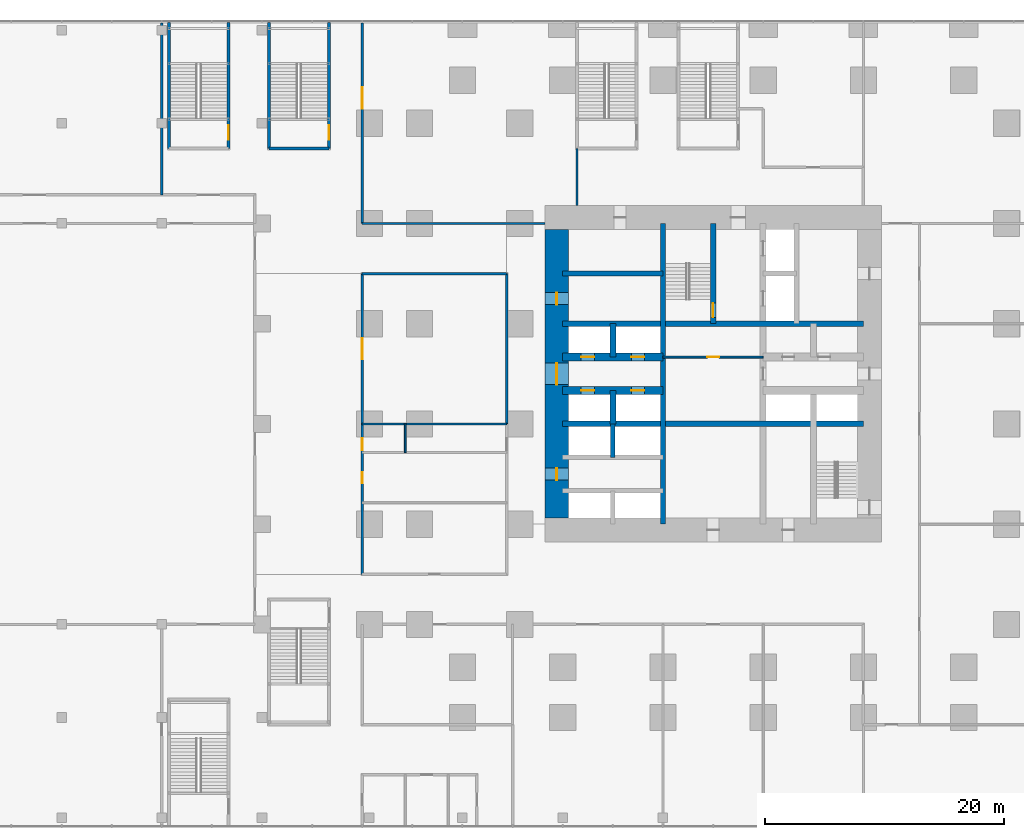
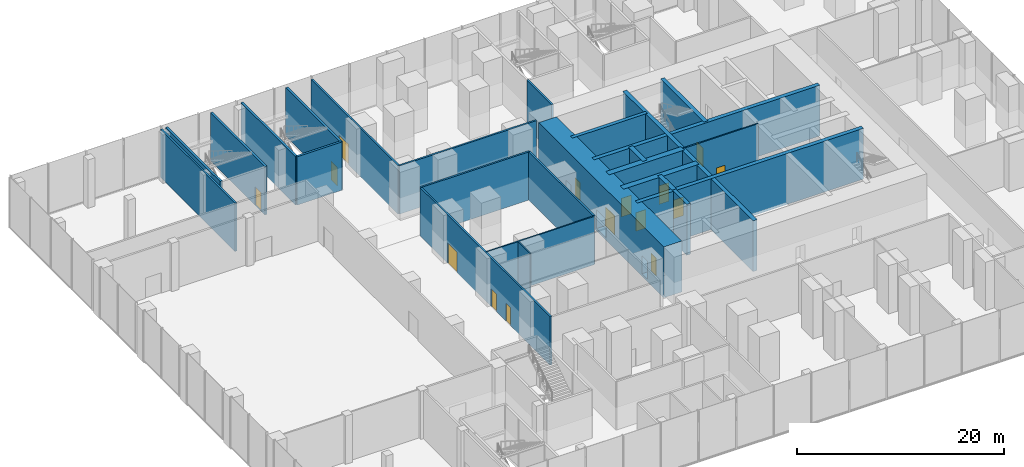
# One storey, part 27 of 32: 26 walls, 15 doors, 15 openings.
"""IFC4 building model written with IfcOpenShell, lengths in metres."""

from ifc_helpers import new_model, si_unit, direction, frame, frame_2d, origin, place, context, subcontext, project, spatial, rectangle, extrude, material, layer, layer_set, type_object, element, fill, save


model = new_model("IFC4")

# Units and contexts
model_context = context("Model", 3, precision=1e-05, world=origin(), true_north=direction((0.0, 1.0)))
body_context = subcontext(model_context, "Body", "Model", "MODEL_VIEW")
ifc_project = project(units=[si_unit("LENGTHUNIT", "METRE"), si_unit("AREAUNIT", "SQUARE_METRE"), si_unit("VOLUMEUNIT", "CUBIC_METRE"), si_unit("PLANEANGLEUNIT", "RADIAN"), si_unit("MASSUNIT", "GRAM", prefix="KILO")], contexts=[model_context])

# Site, building, storey
site_placement = place(None, origin())
site = spatial("IfcSite", under=ifc_project, at=site_placement, CompositionType="ELEMENT")
building_placement = place(site_placement, origin())
building = spatial("IfcBuilding", under=site, at=building_placement, Name="Dunama Terrace Hotel", CompositionType="ELEMENT")
storey_placement = place(building_placement, frame((0.0, 0.0, 6.0)))
storey = spatial("IfcBuildingStorey", under=building, at=storey_placement, Name="L01", CompositionType="ELEMENT", Elevation=6.0)

# Walls
ifc_material_1 = material(Name="Concrete C50/60", Category="concrete")
ifc_layer_1 = layer(ifc_material_1, 0.39990234375)
ifc_layer_set_1 = layer_set([ifc_layer_1], Name="Core inner wall 400")
wall_type_1 = type_object("IfcWallType", Name="Core inner wall 400", PredefinedType="SHEAR", material=ifc_layer_set_1)
wall_1_placement = place(storey_placement, frame((21.0, 22.39990234375, -0.300048828125), z_axis=(0.0, 0.0, 1.0), x_axis=(0.0, 1.0, 0.0)))
element("IfcWall", 1, at=wall_1_placement, inside=storey, type_object=wall_type_1, Name="Core inner wall 400 L01", PredefinedType="SHEAR", context=body_context, shape_type="SweptSolid", body=[
    extrude(rectangle(XDim=2.800048828125, YDim=0.39990234375, at=frame_2d((1.39990234375, 0.0))), origin(), (0.0, 0.0, 1.0), 6.0),
])
wall_2_placement = place(storey_placement, frame((16.800048828125, 37.800048828125, -0.300048828125), z_axis=(0.0, 0.0, 1.0), x_axis=(1.0, 0.0, 0.0)))
element("IfcWall", 2, at=wall_2_placement, inside=storey, type_object=wall_type_1, Name="Core inner wall 400 L01", PredefinedType="SHEAR", context=body_context, shape_type="SweptSolid", body=[
    extrude(rectangle(XDim=8.39990234375, YDim=0.39990234375, at=frame_2d((4.199951171875, 0.0))), origin(), (0.0, 0.0, 1.0), 6.0),
])
ifc_material_2 = material(Name="Concrete C50/60", Category="concrete")
ifc_layer_2 = layer(ifc_material_2, 0.449951171875)
ifc_layer_set_2 = layer_set([ifc_layer_2], Name="Core inner wall 450")
wall_type_2 = type_object("IfcWallType", Name="Core inner wall 450", PredefinedType="SHEAR", material=ifc_layer_set_2)
wall_3_placement = place(storey_placement, frame((25.199951171875, 16.800048828125, -0.300048828125), z_axis=(0.0, 0.0, 1.0), x_axis=(0.0, 1.0, 0.0)))
element("IfcWall", 3, at=wall_3_placement, inside=storey, type_object=wall_type_2, Name="Core inner wall 450 L01", PredefinedType="SHEAR", context=body_context, shape_type="SweptSolid", body=[
    extrude(rectangle(XDim=25.199951171875, YDim=0.449951171875, at=frame_2d((12.60009765625, 0.0))), origin(), (0.0, 0.0, 1.0), 6.0),
])

# Wall, opening, door
wall_4_placement = place(storey_placement, frame((29.39990234375, 33.60009765625, -0.300048828125), z_axis=(0.0, 0.0, 1.0), x_axis=(0.0, 1.0, 0.0)))
wall_4 = element("IfcWall", 4, at=wall_4_placement, inside=storey, type_object=wall_type_2, Name="Core inner wall 450 L01", PredefinedType="SHEAR", context=body_context, shape_type="SweptSolid", body=[
    extrude(rectangle(XDim=8.39990234375, YDim=0.449951171875, at=frame_2d((4.199951171875, 0.0))), origin(), (0.0, 0.0, 1.0), 6.0),
])
opening_1_placement = place(wall_4_placement, frame((0.52490234375, 0.0, 0.300048828125)))
opening_1 = element("IfcOpeningElement", 5, at=opening_1_placement, cuts=wall_4, Name="Opening L01-001", PredefinedType="OPENING", context=body_context, shape_type="SweptSolid", body=[
    extrude(rectangle(XDim=1.199951171875, YDim=2.199951171875, at=frame_2d((0.60009765625, 1.10009765625))), frame((0.0, 0.23486328125, 0.0), z_axis=(0.0, -1.0, 0.0), x_axis=(1.0, 0.0, 0.0)), (0.0, 0.0, 1.0), 0.469970703125),
])
ifc_material_3 = material(Name="Timber door with steel frame", Category="steel")
door_type_1 = type_object("IfcDoorType", Name="Stair door 1200", OperationType="SINGLE_SWING_LEFT", PredefinedType="DOOR", material=ifc_material_3)
door_1_placement = place(opening_1_placement, origin())
door_1 = element("IfcDoor", 6, at=door_1_placement, inside=storey, type_object=door_type_1, Name="Stair door ST1 L01-001, type D5", OperationType="SINGLE_SWING_LEFT", OverallHeight=2.199951171875, OverallWidth=1.199951171875, PredefinedType="DOOR", context=body_context, shape_type="SweptSolid", body=[
    extrude(rectangle(XDim=1.199951171875, YDim=2.199951171875, at=frame_2d((0.60009765625, 1.10009765625))), frame((0.0, 0.02490234375, 0.0), z_axis=(0.0, -1.0, 0.0), x_axis=(1.0, 0.0, 0.0)), (0.0, 0.0, 1.0), 0.050048828125),
])
fill(opening_1, door_1)

# Walls
for number, where, z_axis, x_axis, name in (
    (7, (16.800048828125, 25.199951171875, -0.300048828125), (0.0, 0.0, 1.0), (1.0, 0.0, 0.0), "Core inner wall 450 L01"),
    (8, (16.800048828125, 33.60009765625, -0.300048828125), (0.0, 0.0, 1.0), (1.0, 0.0, 0.0), "Core inner wall 450 L01"),
):
    element("IfcWall", number, at=place(storey_placement, frame(where, z_axis=z_axis, x_axis=x_axis)), inside=storey, type_object=wall_type_2, Name=name, PredefinedType="SHEAR", context=body_context, shape_type="SweptSolid", body=[
        extrude(rectangle(XDim=25.199951171875, YDim=0.449951171875, at=frame_2d((12.60009765625, 0.0))), origin(), (0.0, 0.0, 1.0), 6.0),
    ])
ifc_material_4 = material(Name="Concrete C50/60", Category="concrete")
ifc_layer_3 = layer(ifc_material_4, 0.5)
ifc_layer_set_3 = layer_set([ifc_layer_3], Name="Core inner wall 500")
wall_type_3 = type_object("IfcWallType", Name="Core inner wall 500", PredefinedType="SHEAR", material=ifc_layer_set_3)
for number, where, z_axis, x_axis, name in (
    (9, (21.0, 25.199951171875, -0.300048828125), (0.0, 0.0, 1.0), (0.0, 1.0, 0.0), "Core inner wall 500 L01"),
    (10, (21.0, 30.800048828125, -0.300048828125), (0.0, 0.0, 1.0), (0.0, 1.0, 0.0), "Core inner wall 500 L01"),
):
    element("IfcWall", number, at=place(storey_placement, frame(where, z_axis=z_axis, x_axis=x_axis)), inside=storey, type_object=wall_type_3, Name=name, PredefinedType="SHEAR", context=body_context, shape_type="SweptSolid", body=[
        extrude(rectangle(XDim=2.800048828125, YDim=0.5, at=frame_2d((1.39990234375, 0.0))), origin(), (0.0, 0.0, 1.0), 6.0),
    ])

# Wall, openings, doors
ifc_material_5 = material(Name="Concrete C50/60", Category="concrete")
ifc_layer_4 = layer(ifc_material_5, 0.64990234375)
ifc_layer_set_4 = layer_set([ifc_layer_4], Name="Core inner wall 650")
wall_type_4 = type_object("IfcWallType", Name="Core inner wall 650", PredefinedType="SHEAR", material=ifc_layer_set_4)
wall_5_placement = place(storey_placement, frame((16.800048828125, 28.0, -0.300048828125), z_axis=(0.0, 0.0, 1.0), x_axis=(1.0, 0.0, 0.0)))
wall_5 = element("IfcWall", 11, at=wall_5_placement, inside=storey, type_object=wall_type_4, Name="Core inner wall 650 L01", PredefinedType="SHEAR", context=body_context, shape_type="SweptSolid", body=[
    extrude(rectangle(XDim=8.39990234375, YDim=0.64990234375, at=frame_2d((4.199951171875, 0.0))), origin(), (0.0, 0.0, 1.0), 6.0),
])
opening_2_placement = place(wall_5_placement, frame((1.550048828125, 0.0, 0.300048828125)))
opening_2 = element("IfcOpeningElement", 12, at=opening_2_placement, cuts=wall_5, Name="Opening L01-009", PredefinedType="OPENING", context=body_context, shape_type="SweptSolid", body=[
    extrude(rectangle(XDim=1.10009765625, YDim=2.199951171875, at=frame_2d((0.550048828125, 1.10009765625))), frame((0.0, 0.3349609375, 0.0), z_axis=(0.0, -1.0, 0.0), x_axis=(1.0, 0.0, 0.0)), (0.0, 0.0, 1.0), 0.669921875),
])
opening_3_placement = place(wall_5_placement, frame((5.75, 0.0, 0.300048828125)))
opening_3 = element("IfcOpeningElement", 13, at=opening_3_placement, cuts=wall_5, Name="Opening L01-010", PredefinedType="OPENING", context=body_context, shape_type="SweptSolid", body=[
    extrude(rectangle(XDim=1.10009765625, YDim=2.199951171875, at=frame_2d((0.550048828125, 1.10009765625))), frame((0.0, 0.3349609375, 0.0), z_axis=(0.0, -1.0, 0.0), x_axis=(1.0, 0.0, 0.0)), (0.0, 0.0, 1.0), 0.669921875),
])
ifc_material_6 = material(Name="Stainless steel lift door", Category="steel")
door_type_2 = type_object("IfcDoorType", Name="Lift landing door 1100", OperationType="DOUBLE_DOOR_SLIDING", PredefinedType="DOOR", material=ifc_material_6)
door_2_placement = place(opening_2_placement, origin())
door_2 = element("IfcDoor", 14, at=door_2_placement, inside=storey, type_object=door_type_2, Name="Landing door PA1 L01-009, type LD1", OperationType="DOUBLE_DOOR_SLIDING", OverallHeight=2.199951171875, OverallWidth=1.10009765625, PredefinedType="DOOR", context=body_context, shape_type="SweptSolid", body=[
    extrude(rectangle(XDim=1.10009765625, YDim=2.199951171875, at=frame_2d((0.550048828125, 1.10009765625))), frame((0.0, 0.02490234375, 0.0), z_axis=(0.0, -1.0, 0.0), x_axis=(1.0, 0.0, 0.0)), (0.0, 0.0, 1.0), 0.050048828125),
])
fill(opening_2, door_2)
door_3_placement = place(opening_3_placement, origin())
door_3 = element("IfcDoor", 15, at=door_3_placement, inside=storey, type_object=door_type_2, Name="Landing door PA2 L01-010, type LD1", OperationType="DOUBLE_DOOR_SLIDING", OverallHeight=2.199951171875, OverallWidth=1.10009765625, PredefinedType="DOOR", context=body_context, shape_type="SweptSolid", body=[
    extrude(rectangle(XDim=1.10009765625, YDim=2.199951171875, at=frame_2d((0.550048828125, 1.10009765625))), frame((0.0, 0.02490234375, 0.0), z_axis=(0.0, -1.0, 0.0), x_axis=(1.0, 0.0, 0.0)), (0.0, 0.0, 1.0), 0.050048828125),
])
fill(opening_3, door_3)

wall_6_placement = place(storey_placement, frame((16.800048828125, 30.800048828125, -0.300048828125), z_axis=(0.0, 0.0, 1.0), x_axis=(1.0, 0.0, 0.0)))
wall_6 = element("IfcWall", 16, at=wall_6_placement, inside=storey, type_object=wall_type_4, Name="Core inner wall 650 L01", PredefinedType="SHEAR", context=body_context, shape_type="SweptSolid", body=[
    extrude(rectangle(XDim=8.39990234375, YDim=0.64990234375, at=frame_2d((4.199951171875, 0.0))), origin(), (0.0, 0.0, 1.0), 6.0),
])
opening_4_placement = place(wall_6_placement, frame((1.550048828125, 0.0, 0.300048828125)))
opening_4 = element("IfcOpeningElement", 17, at=opening_4_placement, cuts=wall_6, Name="Opening L01-011", PredefinedType="OPENING", context=body_context, shape_type="SweptSolid", body=[
    extrude(rectangle(XDim=1.10009765625, YDim=2.199951171875, at=frame_2d((0.550048828125, 1.10009765625))), frame((0.0, 0.3349609375, 0.0), z_axis=(0.0, -1.0, 0.0), x_axis=(1.0, 0.0, 0.0)), (0.0, 0.0, 1.0), 0.669921875),
])
opening_5_placement = place(wall_6_placement, frame((5.75, 0.0, 0.300048828125)))
opening_5 = element("IfcOpeningElement", 18, at=opening_5_placement, cuts=wall_6, Name="Opening L01-012", PredefinedType="OPENING", context=body_context, shape_type="SweptSolid", body=[
    extrude(rectangle(XDim=1.10009765625, YDim=2.199951171875, at=frame_2d((0.550048828125, 1.10009765625))), frame((0.0, 0.3349609375, 0.0), z_axis=(0.0, -1.0, 0.0), x_axis=(1.0, 0.0, 0.0)), (0.0, 0.0, 1.0), 0.669921875),
])
door_4_placement = place(opening_4_placement, origin())
door_4 = element("IfcDoor", 19, at=door_4_placement, inside=storey, type_object=door_type_2, Name="Landing door PA3 L01-011, type LD1", OperationType="DOUBLE_DOOR_SLIDING", OverallHeight=2.199951171875, OverallWidth=1.10009765625, PredefinedType="DOOR", context=body_context, shape_type="SweptSolid", body=[
    extrude(rectangle(XDim=1.10009765625, YDim=2.199951171875, at=frame_2d((0.550048828125, 1.10009765625))), frame((0.0, 0.02490234375, 0.0), z_axis=(0.0, -1.0, 0.0), x_axis=(1.0, 0.0, 0.0)), (0.0, 0.0, 1.0), 0.050048828125),
])
fill(opening_4, door_4)
door_5_placement = place(opening_5_placement, origin())
door_5 = element("IfcDoor", 20, at=door_5_placement, inside=storey, type_object=door_type_2, Name="Landing door PA4 L01-012, type LD1", OperationType="DOUBLE_DOOR_SLIDING", OverallHeight=2.199951171875, OverallWidth=1.10009765625, PredefinedType="DOOR", context=body_context, shape_type="SweptSolid", body=[
    extrude(rectangle(XDim=1.10009765625, YDim=2.199951171875, at=frame_2d((0.550048828125, 1.10009765625))), frame((0.0, 0.02490234375, 0.0), z_axis=(0.0, -1.0, 0.0), x_axis=(1.0, 0.0, 0.0)), (0.0, 0.0, 1.0), 0.050048828125),
])
fill(opening_5, door_5)

ifc_material_7 = material(Name="Concrete C60/75", Category="concrete")
ifc_layer_5 = layer(ifc_material_7, 2.0)
ifc_layer_set_5 = layer_set([ifc_layer_5], Name="Core wall 2000")
wall_type_5 = type_object("IfcWallType", Name="Core wall 2000", PredefinedType="SHEAR", material=ifc_layer_set_5)
wall_7_placement = place(storey_placement, frame((16.300048828125, 41.5, -0.300048828125), z_axis=(0.0, 0.0, 1.0), x_axis=(0.0, -1.0, 0.0)))
wall_7 = element("IfcWall", 21, at=wall_7_placement, inside=storey, type_object=wall_type_5, Name="Core wall west L01", PredefinedType="SHEAR", context=body_context, shape_type="SweptSolid", body=[
    extrude(rectangle(XDim=24.199951171875, YDim=2.0, at=frame_2d((12.10009765625, 0.0))), origin(), (0.0, 0.0, 1.0), 6.0),
])
opening_6_placement = place(wall_7_placement, frame((11.199951171875, 0.0, 0.300048828125)))
opening_6 = element("IfcOpeningElement", 22, at=opening_6_placement, cuts=wall_7, Name="Opening L01-015", PredefinedType="OPENING", context=body_context, shape_type="SweptSolid", body=[
    extrude(rectangle(XDim=1.800048828125, YDim=2.199951171875, at=frame_2d((0.89990234375, 1.10009765625))), frame((0.0, 1.010009765625, 0.0), z_axis=(0.0, -1.0, 0.0), x_axis=(1.0, 0.0, 0.0)), (0.0, 0.0, 1.0), 2.02001953125),
])
opening_7_placement = place(wall_7_placement, frame((20.0, 0.0, 0.300048828125)))
opening_7 = element("IfcOpeningElement", 23, at=opening_7_placement, cuts=wall_7, Name="Opening L01-016", PredefinedType="OPENING", context=body_context, shape_type="SweptSolid", body=[
    extrude(rectangle(XDim=1.0, YDim=2.10009765625, at=frame_2d((0.5, 1.050048828125))), frame((0.0, 1.010009765625, 0.0), z_axis=(0.0, -1.0, 0.0), x_axis=(1.0, 0.0, 0.0)), (0.0, 0.0, 1.0), 2.02001953125),
])
opening_8_placement = place(wall_7_placement, frame((5.300048828125, 0.0, 0.300048828125)))
opening_8 = element("IfcOpeningElement", 24, at=opening_8_placement, cuts=wall_7, Name="Opening L01-017", PredefinedType="OPENING", context=body_context, shape_type="SweptSolid", body=[
    extrude(rectangle(XDim=1.0, YDim=2.10009765625, at=frame_2d((0.5, 1.050048828125))), frame((0.0, 1.010009765625, 0.0), z_axis=(0.0, -1.0, 0.0), x_axis=(1.0, 0.0, 0.0)), (0.0, 0.0, 1.0), 2.02001953125),
])
ifc_material_8 = material(Name="Timber door with steel frame", Category="steel")
door_type_3 = type_object("IfcDoorType", Name="Lift lobby double door 1800", OperationType="DOUBLE_DOOR_DOUBLE_SWING", PredefinedType="DOOR", material=ifc_material_8)
door_6_placement = place(opening_6_placement, origin())
door_6 = element("IfcDoor", 25, at=door_6_placement, inside=storey, type_object=door_type_3, Name="Door to lift lobby L01-015, type D3", OperationType="DOUBLE_DOOR_DOUBLE_SWING", OverallHeight=2.199951171875, OverallWidth=1.800048828125, PredefinedType="DOOR", context=body_context, shape_type="SweptSolid", body=[
    extrude(rectangle(XDim=1.800048828125, YDim=2.199951171875, at=frame_2d((0.89990234375, 1.10009765625))), frame((0.0, 0.02490234375, 0.0), z_axis=(0.0, -1.0, 0.0), x_axis=(1.0, 0.0, 0.0)), (0.0, 0.0, 1.0), 0.050048828125),
])
fill(opening_6, door_6)
ifc_material_9 = material(Name="Timber door with steel frame", Category="steel")
door_type_4 = type_object("IfcDoorType", Name="Service door 1000", OperationType="SINGLE_SWING_LEFT", PredefinedType="DOOR", material=ifc_material_9)
door_7_placement = place(opening_7_placement, origin())
door_7 = element("IfcDoor", 26, at=door_7_placement, inside=storey, type_object=door_type_4, Name="Door to service lobby L01-016, type D7", OperationType="SINGLE_SWING_LEFT", OverallHeight=2.10009765625, OverallWidth=1.0, PredefinedType="DOOR", context=body_context, shape_type="SweptSolid", body=[
    extrude(rectangle(XDim=1.0, YDim=2.10009765625, at=frame_2d((0.5, 1.050048828125))), frame((0.0, 0.02490234375, 0.0), z_axis=(0.0, -1.0, 0.0), x_axis=(1.0, 0.0, 0.0)), (0.0, 0.0, 1.0), 0.050048828125),
])
fill(opening_7, door_7)
door_8_placement = place(opening_8_placement, origin())
door_8 = element("IfcDoor", 27, at=door_8_placement, inside=storey, type_object=door_type_4, Name="Door to electrical room L01-017, type D7", OperationType="SINGLE_SWING_RIGHT", OverallHeight=2.10009765625, OverallWidth=1.0, PredefinedType="DOOR", context=body_context, shape_type="SweptSolid", body=[
    extrude(rectangle(XDim=1.0, YDim=2.10009765625, at=frame_2d((0.5, 1.050048828125))), frame((0.0, 0.02490234375, 0.0), z_axis=(0.0, -1.0, 0.0), x_axis=(1.0, 0.0, 0.0)), (0.0, 0.0, 1.0), 0.050048828125),
])
fill(opening_8, door_8)

# Wall
ifc_material_10 = material(Name="Concrete blockwork", Category="masonry")
ifc_layer_6 = layer(ifc_material_10, 0.199951171875)
ifc_layer_set_6 = layer_set([ifc_layer_6], Name="Corridor partition 200")
wall_type_6 = type_object("IfcWallType", Name="Corridor partition 200", PredefinedType="PARTITIONING", material=ifc_layer_set_6)
wall_8_placement = place(storey_placement, frame((-16.800048828125, 44.39990234375, 0.0), z_axis=(0.0, 0.0, 1.0), x_axis=(0.0, 1.0, 0.0)))
element("IfcWall", 28, at=wall_8_placement, inside=storey, type_object=wall_type_6, Name="Corridor partition 200 L01", PredefinedType="PARTITIONING", context=body_context, shape_type="SweptSolid", body=[
    extrude(rectangle(XDim=14.400146484375, YDim=0.199951171875, at=frame_2d((7.2001953125, 0.0))), origin(), (0.0, 0.0, 1.0), 5.699951171875),
])

# Wall, openings, doors
wall_9_placement = place(storey_placement, frame((0.0, 12.60009765625, 0.0), z_axis=(0.0, 0.0, 1.0), x_axis=(0.0, 1.0, 0.0)))
wall_9 = element("IfcWall", 29, at=wall_9_placement, inside=storey, type_object=wall_type_6, Name="Corridor partition 200 L01", PredefinedType="PARTITIONING", context=body_context, shape_type="SweptSolid", body=[
    extrude(rectangle(XDim=25.199951171875, YDim=0.199951171875, at=frame_2d((12.60009765625, 0.0))), origin(), (0.0, 0.0, 1.0), 5.699951171875),
])
opening_9_placement = place(wall_9_placement, frame((7.64990234375, 0.0, 0.0)))
opening_9 = element("IfcOpeningElement", 30, at=opening_9_placement, cuts=wall_9, Name="Opening L01-045", PredefinedType="OPENING", context=body_context, shape_type="SweptSolid", body=[
    extrude(rectangle(XDim=0.89990234375, YDim=2.10009765625, at=frame_2d((0.449951171875, 1.050048828125))), frame((0.0, 0.10986328125, 0.0), z_axis=(0.0, -1.0, 0.0), x_axis=(1.0, 0.0, 0.0)), (0.0, 0.0, 1.0), 0.219970703125),
])
opening_10_placement = place(wall_9_placement, frame((10.39990234375, 0.0, 0.0)))
opening_10 = element("IfcOpeningElement", 31, at=opening_10_placement, cuts=wall_9, Name="Opening L01-046", PredefinedType="OPENING", context=body_context, shape_type="SweptSolid", body=[
    extrude(rectangle(XDim=1.0, YDim=2.10009765625, at=frame_2d((0.5, 1.050048828125))), frame((0.0, 0.10986328125, 0.0), z_axis=(0.0, -1.0, 0.0), x_axis=(1.0, 0.0, 0.0)), (0.0, 0.0, 1.0), 0.219970703125),
])
opening_11_placement = place(wall_9_placement, frame((18.0, 0.0, 0.0)))
opening_11 = element("IfcOpeningElement", 32, at=opening_11_placement, cuts=wall_9, Name="Opening L01-048", PredefinedType="OPENING", context=body_context, shape_type="SweptSolid", body=[
    extrude(rectangle(XDim=1.800048828125, YDim=2.39990234375, at=frame_2d((0.89990234375, 1.199951171875))), frame((0.0, 0.10986328125, 0.0), z_axis=(0.0, -1.0, 0.0), x_axis=(1.0, 0.0, 0.0)), (0.0, 0.0, 1.0), 0.219970703125),
])
ifc_material_11 = material(Name="Timber door with steel frame", Category="steel")
door_type_5 = type_object("IfcDoorType", Name="Accessible room door 1000", OperationType="SINGLE_SWING_LEFT", PredefinedType="DOOR", material=ifc_material_11)
door_9_placement = place(opening_10_placement, frame((1.0, 0.0, 0.0), z_axis=(0.0, 0.0, 1.0), x_axis=(-1.0, 0.0, 0.0)))
door_9 = element("IfcDoor", 33, at=door_9_placement, inside=storey, type_object=door_type_5, Name="Door to ballroom accessible wc L01-046, type D17", OperationType="SINGLE_SWING_LEFT", OverallHeight=2.10009765625, OverallWidth=1.0, PredefinedType="DOOR", context=body_context, shape_type="SweptSolid", body=[
    extrude(rectangle(XDim=1.0, YDim=2.10009765625, at=frame_2d((0.5, 1.050048828125))), frame((0.0, 0.025146484375, 0.0), z_axis=(0.0, -1.0, 0.0), x_axis=(1.0, 0.0, 0.0)), (0.0, 0.0, 1.0), 0.050048828125),
])
fill(opening_10, door_9)
ifc_material_12 = material(Name="Aluminium-framed glazed door", Category="aluminium")
door_type_6 = type_object("IfcDoorType", Name="Glazed double door 1800", OperationType="DOUBLE_DOOR_DOUBLE_SWING", PredefinedType="DOOR", material=ifc_material_12)
door_10_placement = place(opening_11_placement, origin())
door_10 = element("IfcDoor", 34, at=door_10_placement, inside=storey, type_object=door_type_6, Name="Door to meeting room 4 L01-048, type D8", OperationType="DOUBLE_DOOR_DOUBLE_SWING", OverallHeight=2.39990234375, OverallWidth=1.800048828125, PredefinedType="DOOR", context=body_context, shape_type="SweptSolid", body=[
    extrude(rectangle(XDim=1.800048828125, YDim=2.39990234375, at=frame_2d((0.89990234375, 1.199951171875))), frame((0.0, 0.02490234375, 0.0), z_axis=(0.0, -1.0, 0.0), x_axis=(1.0, 0.0, 0.0)), (0.0, 0.0, 1.0), 0.050048828125),
])
fill(opening_11, door_10)
ifc_material_13 = material(Name="Timber door with steel frame", Category="steel")
door_type_7 = type_object("IfcDoorType", Name="WC door 900", OperationType="SINGLE_SWING_LEFT", PredefinedType="DOOR", material=ifc_material_13)
door_11_placement = place(opening_9_placement, frame((0.89990234375, 0.0, 0.0), z_axis=(0.0, 0.0, 1.0), x_axis=(-1.0, 0.0, 0.0)))
door_11 = element("IfcDoor", 35, at=door_11_placement, inside=storey, type_object=door_type_7, Name="Door to ballroom male wc L01-045, type D6", OperationType="SINGLE_SWING_RIGHT", OverallHeight=2.10009765625, OverallWidth=0.89990234375, PredefinedType="DOOR", context=body_context, shape_type="SweptSolid", body=[
    extrude(rectangle(XDim=0.89990234375, YDim=2.10009765625, at=frame_2d((0.449951171875, 1.050048828125))), frame((0.0, 0.025146484375, 0.0), z_axis=(0.0, -1.0, 0.0), x_axis=(1.0, 0.0, 0.0)), (0.0, 0.0, 1.0), 0.050048828125),
])
fill(opening_9, door_11)

# Wall, opening, door
wall_10_placement = place(storey_placement, frame((0.0, 42.0, 0.0), z_axis=(0.0, 0.0, 1.0), x_axis=(0.0, 1.0, 0.0)))
wall_10 = element("IfcWall", 36, at=wall_10_placement, inside=storey, type_object=wall_type_6, Name="Corridor partition 200 L01", PredefinedType="PARTITIONING", context=body_context, shape_type="SweptSolid", body=[
    extrude(rectangle(XDim=16.800048828125, YDim=0.199951171875, at=frame_2d((8.39990234375, 0.0))), origin(), (0.0, 0.0, 1.0), 5.699951171875),
])
opening_12_placement = place(wall_10_placement, frame((9.60009765625, 0.0, 0.0)))
opening_12 = element("IfcOpeningElement", 37, at=opening_12_placement, cuts=wall_10, Name="Opening L01-037", PredefinedType="OPENING", context=body_context, shape_type="SweptSolid", body=[
    extrude(rectangle(XDim=1.800048828125, YDim=2.39990234375, at=frame_2d((0.89990234375, 1.199951171875))), frame((0.0, 0.10986328125, 0.0), z_axis=(0.0, -1.0, 0.0), x_axis=(1.0, 0.0, 0.0)), (0.0, 0.0, 1.0), 0.219970703125),
])
door_12_placement = place(opening_12_placement, origin())
door_12 = element("IfcDoor", 38, at=door_12_placement, inside=storey, type_object=door_type_6, Name="Door to meeting room 1 L01-037, type D8", OperationType="DOUBLE_DOOR_DOUBLE_SWING", OverallHeight=2.39990234375, OverallWidth=1.800048828125, PredefinedType="DOOR", context=body_context, shape_type="SweptSolid", body=[
    extrude(rectangle(XDim=1.800048828125, YDim=2.39990234375, at=frame_2d((0.89990234375, 1.199951171875))), frame((0.0, 0.02490234375, 0.0), z_axis=(0.0, -1.0, 0.0), x_axis=(1.0, 0.0, 0.0)), (0.0, 0.0, 1.0), 0.050048828125),
])
fill(opening_12, door_12)

# Walls
wall_11_placement = place(storey_placement, frame((0.0, 37.800048828125, 0.0), z_axis=(0.0, 0.0, 1.0), x_axis=(1.0, 0.0, 0.0)))
element("IfcWall", 39, at=wall_11_placement, inside=storey, type_object=wall_type_6, Name="Corridor partition 200 L01", PredefinedType="PARTITIONING", context=body_context, shape_type="SweptSolid", body=[
    extrude(rectangle(XDim=12.10009765625, YDim=0.199951171875, at=frame_2d((6.050048828125, 0.0))), origin(), (0.0, 0.0, 1.0), 5.699951171875),
])
wall_12_placement = place(storey_placement, frame((12.10009765625, 37.800048828125, 0.0), z_axis=(0.0, 0.0, 1.0), x_axis=(0.0, -1.0, 0.0)))
element("IfcWall", 40, at=wall_12_placement, inside=storey, type_object=wall_type_6, Name="Corridor partition 200 L01", PredefinedType="PARTITIONING", context=body_context, shape_type="SweptSolid", body=[
    extrude(rectangle(XDim=12.60009765625, YDim=0.199951171875, at=frame_2d((6.300048828125, 0.0))), origin(), (0.0, 0.0, 1.0), 5.699951171875),
])
wall_13_placement = place(storey_placement, frame((18.0, 48.300048828125, 0.0), z_axis=(0.0, 0.0, 1.0), x_axis=(0.0, -1.0, 0.0)))
element("IfcWall", 41, at=wall_13_placement, inside=storey, type_object=wall_type_6, Name="Corridor partition 200 L01", PredefinedType="PARTITIONING", context=body_context, shape_type="SweptSolid", body=[
    extrude(rectangle(XDim=4.800048828125, YDim=0.199951171875, at=frame_2d((2.39990234375, 0.0))), origin(), (0.0, 0.0, 1.0), 5.699951171875),
])
wall_14_placement = place(storey_placement, frame((15.300048828125, 42.0, 0.0), z_axis=(0.0, 0.0, 1.0), x_axis=(-1.0, 0.0, 0.0)))
element("IfcWall", 42, at=wall_14_placement, inside=storey, type_object=wall_type_6, Name="Corridor partition 200 L01", PredefinedType="PARTITIONING", context=body_context, shape_type="SweptSolid", body=[
    extrude(rectangle(XDim=15.300048828125, YDim=0.199951171875, at=frame_2d((7.64990234375, 0.0))), origin(), (0.0, 0.0, 1.0), 5.699951171875),
])
ifc_material_14 = material(Name="Gypsum board partition", Category="masonry")
ifc_layer_7 = layer(ifc_material_14, 0.14990234375)
ifc_layer_set_7 = layer_set([ifc_layer_7], Name="Room partition 150")
wall_type_7 = type_object("IfcWallType", Name="Room partition 150", PredefinedType="PARTITIONING", material=ifc_layer_set_7)
wall_15_placement = place(storey_placement, frame((3.60009765625, 22.800048828125, 0.0), z_axis=(0.0, 0.0, 1.0), x_axis=(0.0, 1.0, 0.0)))
element("IfcWall", 43, at=wall_15_placement, inside=storey, type_object=wall_type_7, Name="Room partition 150 L01", PredefinedType="PARTITIONING", context=body_context, shape_type="SweptSolid", body=[
    extrude(rectangle(XDim=2.39990234375, YDim=0.14990234375, at=frame_2d((1.199951171875, 0.0))), origin(), (0.0, 0.0, 1.0), 5.699951171875),
])
wall_16_placement = place(storey_placement, frame((0.0, 25.199951171875, 0.0), z_axis=(0.0, 0.0, 1.0), x_axis=(1.0, 0.0, 0.0)))
element("IfcWall", 44, at=wall_16_placement, inside=storey, type_object=wall_type_7, Name="Room partition 150 L01", PredefinedType="PARTITIONING", context=body_context, shape_type="SweptSolid", body=[
    extrude(rectangle(XDim=12.10009765625, YDim=0.14990234375, at=frame_2d((6.050048828125, 0.0))), origin(), (0.0, 0.0, 1.0), 5.699951171875),
])

# Wall, opening, door
wall_17_placement = place(storey_placement, frame((25.199951171875, 30.800048828125, 0.0), z_axis=(0.0, 0.0, 1.0), x_axis=(1.0, 0.0, 0.0)))
wall_17 = element("IfcWall", 45, at=wall_17_placement, inside=storey, type_object=wall_type_7, Name="Room partition 150 L01", PredefinedType="PARTITIONING", context=body_context, shape_type="SweptSolid", body=[
    extrude(rectangle(XDim=8.400146484375, YDim=0.14990234375, at=frame_2d((4.2001953125, 0.0))), origin(), (0.0, 0.0, 1.0), 5.699951171875),
])
opening_13_placement = place(wall_17_placement, frame((3.699951171875, 0.0, 0.0)))
opening_13 = element("IfcOpeningElement", 46, at=opening_13_placement, cuts=wall_17, Name="Opening L01-020", PredefinedType="OPENING", context=body_context, shape_type="SweptSolid", body=[
    extrude(rectangle(XDim=1.0, YDim=2.10009765625, at=frame_2d((0.5, 1.050048828125))), frame((0.0, 0.0849609375, 0.0), z_axis=(0.0, -1.0, 0.0), x_axis=(1.0, 0.0, 0.0)), (0.0, 0.0, 1.0), 0.169921875),
])
door_13_placement = place(opening_13_placement, origin())
door_13 = element("IfcDoor", 47, at=door_13_placement, inside=storey, type_object=door_type_4, Name="Door to guest amenities store L01-020, type D7", OperationType="SINGLE_SWING_LEFT", OverallHeight=2.10009765625, OverallWidth=1.0, PredefinedType="DOOR", context=body_context, shape_type="SweptSolid", body=[
    extrude(rectangle(XDim=1.0, YDim=2.10009765625, at=frame_2d((0.5, 1.050048828125))), frame((0.0, 0.02490234375, 0.0), z_axis=(0.0, -1.0, 0.0), x_axis=(1.0, 0.0, 0.0)), (0.0, 0.0, 1.0), 0.050048828125),
])
fill(opening_13, door_13)

# Wall
ifc_material_15 = material(Name="Concrete blockwork", Category="masonry")
ifc_layer_8 = layer(ifc_material_15, 0.25)
ifc_layer_set_8 = layer_set([ifc_layer_8], Name="Stair enclosure wall 250")
wall_type_8 = type_object("IfcWallType", Name="Stair enclosure wall 250", PredefinedType="PARTITIONING", material=ifc_layer_set_8)
wall_18_placement = place(storey_placement, frame((-16.199951171875, 48.300048828125, 0.0), z_axis=(0.0, 0.0, 1.0), x_axis=(0.0, 1.0, 0.0)))
element("IfcWall", 48, at=wall_18_placement, inside=storey, type_object=wall_type_8, Name="Stair enclosure wall 250 L01", PredefinedType="PARTITIONING", context=body_context, shape_type="SweptSolid", body=[
    extrude(rectangle(XDim=10.52294921875, YDim=0.25, at=frame_2d((5.261474609375, 0.0))), origin(), (0.0, 0.0, 1.0), 5.699951171875),
])

# Wall, opening, door
wall_19_placement = place(storey_placement, frame((-11.199951171875, 48.300048828125, 0.0), z_axis=(0.0, 0.0, 1.0), x_axis=(0.0, 1.0, 0.0)))
wall_19 = element("IfcWall", 49, at=wall_19_placement, inside=storey, type_object=wall_type_8, Name="Stair enclosure wall 250 L01", PredefinedType="PARTITIONING", context=body_context, shape_type="SweptSolid", body=[
    extrude(rectangle(XDim=10.52294921875, YDim=0.25, at=frame_2d((5.261474609375, 0.0))), origin(), (0.0, 0.0, 1.0), 5.699951171875),
])
opening_14_placement = place(wall_19_placement, frame((0.72509765625, 0.0, 0.0)))
opening_14 = element("IfcOpeningElement", 50, at=opening_14_placement, cuts=wall_19, Name="Opening L01-003", PredefinedType="OPENING", context=body_context, shape_type="SweptSolid", body=[
    extrude(rectangle(XDim=1.199951171875, YDim=2.199951171875, at=frame_2d((0.60009765625, 1.10009765625))), frame((0.0, 0.135009765625, 0.0), z_axis=(0.0, -1.0, 0.0), x_axis=(1.0, 0.0, 0.0)), (0.0, 0.0, 1.0), 0.27001953125),
])
door_14_placement = place(opening_14_placement, origin())
door_14 = element("IfcDoor", 51, at=door_14_placement, inside=storey, type_object=door_type_1, Name="Stair door P1 L01-003, type D5", OperationType="SINGLE_SWING_RIGHT", OverallHeight=2.199951171875, OverallWidth=1.199951171875, PredefinedType="DOOR", context=body_context, shape_type="SweptSolid", body=[
    extrude(rectangle(XDim=1.199951171875, YDim=2.199951171875, at=frame_2d((0.60009765625, 1.10009765625))), frame((0.0, 0.02490234375, 0.0), z_axis=(0.0, -1.0, 0.0), x_axis=(1.0, 0.0, 0.0)), (0.0, 0.0, 1.0), 0.050048828125),
])
fill(opening_14, door_14)

# Wall
wall_20_placement = place(storey_placement, frame((-7.800048828125, 48.300048828125, 0.0), z_axis=(0.0, 0.0, 1.0), x_axis=(0.0, 1.0, 0.0)))
element("IfcWall", 52, at=wall_20_placement, inside=storey, type_object=wall_type_8, Name="Stair enclosure wall 250 L01", PredefinedType="PARTITIONING", context=body_context, shape_type="SweptSolid", body=[
    extrude(rectangle(XDim=10.52294921875, YDim=0.25, at=frame_2d((5.261474609375, 0.0))), origin(), (0.0, 0.0, 1.0), 5.699951171875),
])

# Wall, opening, door
wall_21_placement = place(storey_placement, frame((-2.800048828125, 48.300048828125, 0.0), z_axis=(0.0, 0.0, 1.0), x_axis=(0.0, 1.0, 0.0)))
wall_21 = element("IfcWall", 53, at=wall_21_placement, inside=storey, type_object=wall_type_8, Name="Stair enclosure wall 250 L01", PredefinedType="PARTITIONING", context=body_context, shape_type="SweptSolid", body=[
    extrude(rectangle(XDim=10.52294921875, YDim=0.25, at=frame_2d((5.261474609375, 0.0))), origin(), (0.0, 0.0, 1.0), 5.699951171875),
])
opening_15_placement = place(wall_21_placement, frame((0.72509765625, 0.0, 0.0)))
opening_15 = element("IfcOpeningElement", 54, at=opening_15_placement, cuts=wall_21, Name="Opening L01-005", PredefinedType="OPENING", context=body_context, shape_type="SweptSolid", body=[
    extrude(rectangle(XDim=1.199951171875, YDim=2.199951171875, at=frame_2d((0.60009765625, 1.10009765625))), frame((0.0, 0.135009765625, 0.0), z_axis=(0.0, -1.0, 0.0), x_axis=(1.0, 0.0, 0.0)), (0.0, 0.0, 1.0), 0.27001953125),
])
door_15_placement = place(opening_15_placement, origin())
door_15 = element("IfcDoor", 55, at=door_15_placement, inside=storey, type_object=door_type_1, Name="Stair door P3 L01-005, type D5", OperationType="SINGLE_SWING_RIGHT", OverallHeight=2.199951171875, OverallWidth=1.199951171875, PredefinedType="DOOR", context=body_context, shape_type="SweptSolid", body=[
    extrude(rectangle(XDim=1.199951171875, YDim=2.199951171875, at=frame_2d((0.60009765625, 1.10009765625))), frame((0.0, 0.02490234375, 0.0), z_axis=(0.0, -1.0, 0.0), x_axis=(1.0, 0.0, 0.0)), (0.0, 0.0, 1.0), 0.050048828125),
])
fill(opening_15, door_15)

# Wall
wall_22_placement = place(storey_placement, frame((-7.800048828125, 48.300048828125, 0.0), z_axis=(0.0, 0.0, 1.0), x_axis=(1.0, 0.0, 0.0)))
element("IfcWall", 56, at=wall_22_placement, inside=storey, type_object=wall_type_8, Name="Stair enclosure wall 250 L01", PredefinedType="PARTITIONING", context=body_context, shape_type="SweptSolid", body=[
    extrude(rectangle(XDim=5.0, YDim=0.25, at=frame_2d((2.5, 0.0))), origin(), (0.0, 0.0, 1.0), 5.699951171875),
])

save(model, "model.ifc")
